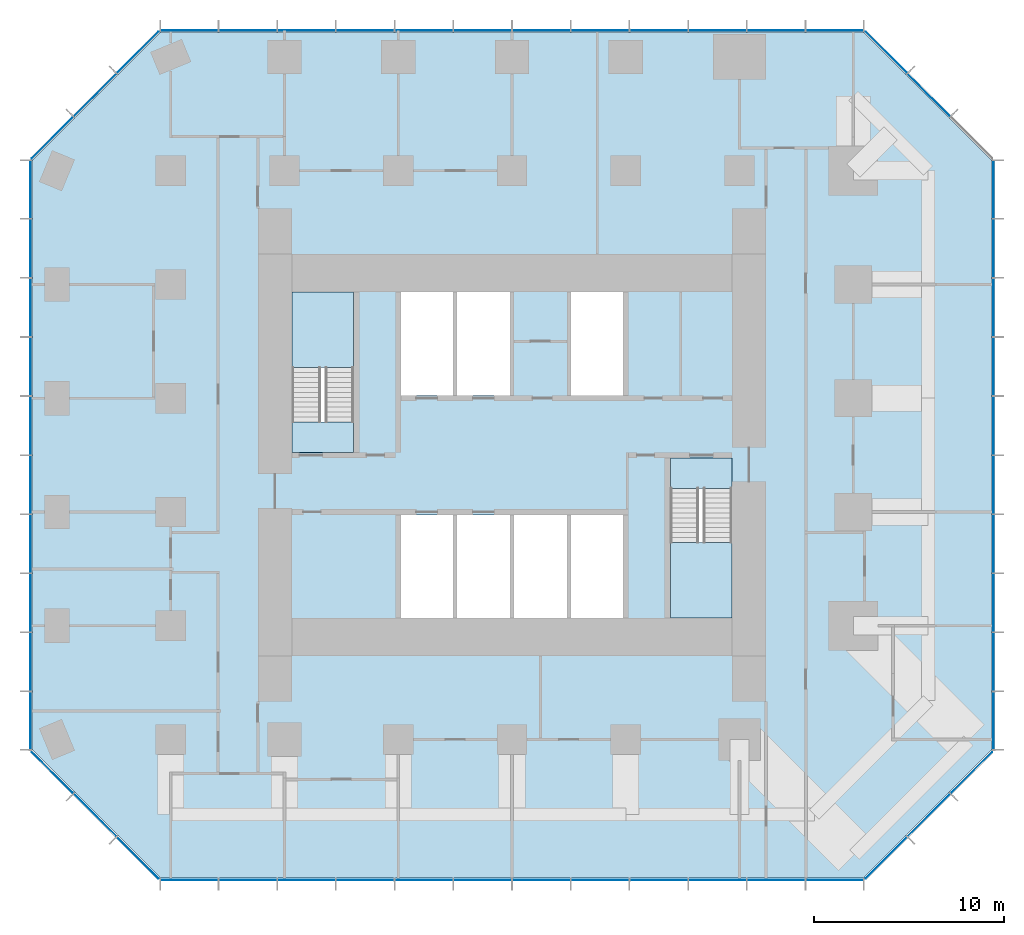
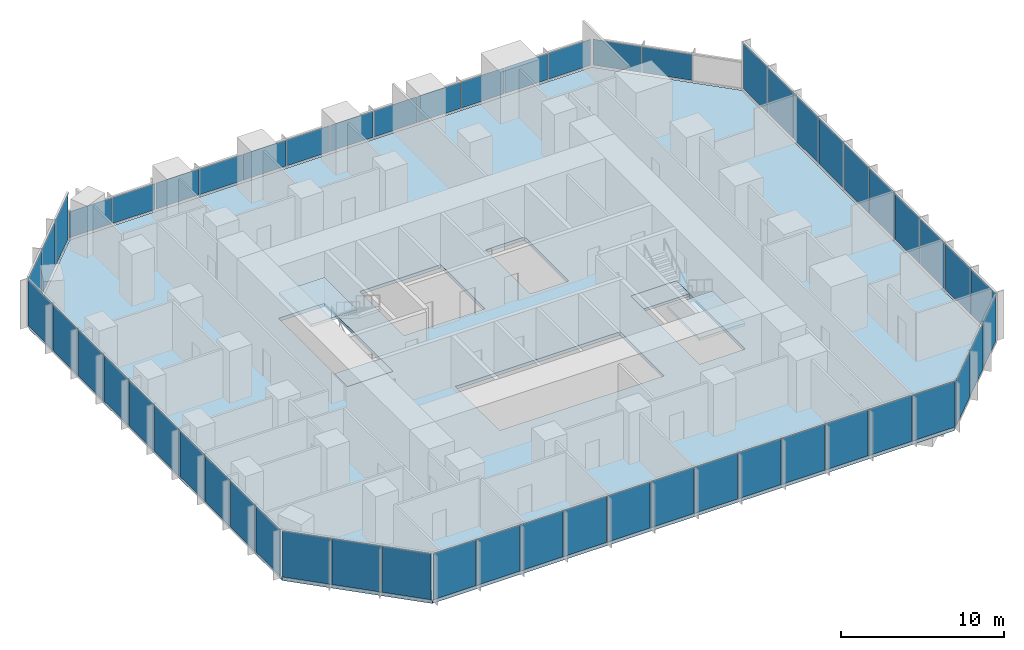
# One storey, part 8 of 12: 55 plates, 5 slabs, 10 elements without a shape of their own.
"""IFC4 building model written with IfcOpenShell, lengths in metres."""

from ifc_helpers import new_model, si_unit, direction, frame, origin, origin_2d, place, context, subcontext, project, spatial, polyline, rectangle, outline, extrude, material, layer, layer_set, type_object, element, aggregate, save


model = new_model("IFC4")

# Units and contexts
model_context = context("Model", 3, precision=1e-05, world=origin(), true_north=direction((0.0, 1.0)))
body_context = subcontext(model_context, "Body", "Model", "MODEL_VIEW")
ifc_project = project(units=[si_unit("LENGTHUNIT", "METRE"), si_unit("AREAUNIT", "SQUARE_METRE"), si_unit("VOLUMEUNIT", "CUBIC_METRE"), si_unit("PLANEANGLEUNIT", "RADIAN"), si_unit("MASSUNIT", "GRAM", prefix="KILO")], contexts=[model_context])

# Site, building, storey
site_placement = place(None, origin())
site = spatial("IfcSite", under=ifc_project, at=site_placement, CompositionType="ELEMENT")
building_placement = place(site_placement, origin())
building = spatial("IfcBuilding", under=site, at=building_placement, Name="Highveld Stack Headquarters", CompositionType="ELEMENT")
storey_placement = place(building_placement, frame((0.0, 0.0, 160.10009765625)))
storey = spatial("IfcBuildingStorey", under=building, at=storey_placement, Name="L39", CompositionType="ELEMENT", Elevation=160.10009765625)

# Curtain wall, plates
ifc_material_1 = material(Name="Aluminium bronze anodised", Category="aluminium")
ifc_layer_1 = layer(ifc_material_1, 0.199951171875)
ifc_layer_set_1 = layer_set([ifc_layer_1], Name="Aluminium bronze anodised")
curtain_wall_type_1 = type_object("IfcCurtainWallType", Name="CW1 TOWER UNITISED CURTAIN WALL", PredefinedType="NOTDEFINED", material=ifc_layer_set_1)
curtain_wall_1_placement = place(storey_placement, origin())
curtain_wall_1 = element("IfcCurtainWall", 1, at=curtain_wall_1_placement, inside=storey, type_object=curtain_wall_type_1, Name="Curtain wall CW1 L39 S", PredefinedType="NOTDEFINED")
ifc_material_2 = material(Name="Glass bronze tinted double glazed unit", Category="glass")
ifc_layer_2 = layer(ifc_material_2, 0.028076171875)
ifc_layer_set_2 = layer_set([ifc_layer_2], Name="Glass bronze tinted double glazed unit")
plate_type_1 = type_object("IfcPlateType", Name="CW1 PANEL BRONZE TINTED DOUBLE GLAZED UNIT", PredefinedType="CURTAIN_PANEL", material=ifc_layer_set_2)
plate_1_placement = place(storey_placement, frame((-11.015380859375, -19.39990234375, 0.10009765625), z_axis=(0.0, 0.0, 1.0), x_axis=(1.0, 0.0, 0.0)))
plate_1 = element("IfcPlate", 2, at=plate_1_placement, type_object=plate_type_1, Name="CW1 panel L39 1.1", PredefinedType="CURTAIN_PANEL", context=body_context, shape_type="SweptSolid", body=[
    extrude(rectangle(XDim=2.9990234375, YDim=0.028076171875, at=origin_2d()), origin(), (0.0, 0.0, 1.0), 3.449951171875),
])
plate_2_placement = place(storey_placement, frame((-7.934814453125, -19.39990234375, 0.10009765625), z_axis=(0.0, 0.0, 1.0), x_axis=(1.0, 0.0, 0.0)))
plate_2 = element("IfcPlate", 3, at=plate_2_placement, type_object=plate_type_1, Name="CW1 panel L39 2.1", PredefinedType="CURTAIN_PANEL", context=body_context, shape_type="SweptSolid", body=[
    extrude(rectangle(XDim=3.031494140625, YDim=0.028076171875, at=origin_2d()), origin(), (0.0, 0.0, 1.0), 3.449951171875),
])
plate_3_placement = place(storey_placement, frame((-4.83837890625, -19.39990234375, 0.10009765625), z_axis=(0.0, 0.0, 1.0), x_axis=(1.0, 0.0, 0.0)))
plate_3 = element("IfcPlate", 4, at=plate_3_placement, type_object=plate_type_1, Name="CW1 panel L39 3.1", PredefinedType="CURTAIN_PANEL", context=body_context, shape_type="SweptSolid", body=[
    extrude(rectangle(XDim=3.031494140625, YDim=0.028076171875, at=origin_2d()), origin(), (0.0, 0.0, 1.0), 3.449951171875),
])
plate_4_placement = place(storey_placement, frame((-1.74169921875, -19.39990234375, 0.10009765625), z_axis=(0.0, 0.0, 1.0), x_axis=(1.0, 0.0, 0.0)))
plate_4 = element("IfcPlate", 5, at=plate_4_placement, type_object=plate_type_1, Name="CW1 panel L39 4.1", PredefinedType="CURTAIN_PANEL", context=body_context, shape_type="SweptSolid", body=[
    extrude(rectangle(XDim=3.031494140625, YDim=0.028076171875, at=origin_2d()), origin(), (0.0, 0.0, 1.0), 3.449951171875),
])
plate_5_placement = place(storey_placement, frame((1.35498046875, -19.39990234375, 0.10009765625), z_axis=(0.0, 0.0, 1.0), x_axis=(1.0, 0.0, 0.0)))
plate_5 = element("IfcPlate", 6, at=plate_5_placement, type_object=plate_type_1, Name="CW1 panel L39 5.1", PredefinedType="CURTAIN_PANEL", context=body_context, shape_type="SweptSolid", body=[
    extrude(rectangle(XDim=3.031494140625, YDim=0.028076171875, at=origin_2d()), origin(), (0.0, 0.0, 1.0), 3.449951171875),
])
plate_6_placement = place(storey_placement, frame((4.45166015625, -19.39990234375, 0.10009765625), z_axis=(0.0, 0.0, 1.0), x_axis=(1.0, 0.0, 0.0)))
plate_6 = element("IfcPlate", 7, at=plate_6_placement, type_object=plate_type_1, Name="CW1 panel L39 6.1", PredefinedType="CURTAIN_PANEL", context=body_context, shape_type="SweptSolid", body=[
    extrude(rectangle(XDim=3.031494140625, YDim=0.028076171875, at=origin_2d()), origin(), (0.0, 0.0, 1.0), 3.449951171875),
])
plate_7_placement = place(storey_placement, frame((7.54833984375, -19.39990234375, 0.10009765625), z_axis=(0.0, 0.0, 1.0), x_axis=(1.0, 0.0, 0.0)))
plate_7 = element("IfcPlate", 8, at=plate_7_placement, type_object=plate_type_1, Name="CW1 panel L39 7.1", PredefinedType="CURTAIN_PANEL", context=body_context, shape_type="SweptSolid", body=[
    extrude(rectangle(XDim=3.03173828125, YDim=0.028076171875, at=origin_2d()), origin(), (0.0, 0.0, 1.0), 3.449951171875),
])
plate_8_placement = place(storey_placement, frame((10.64501953125, -19.39990234375, 0.10009765625), z_axis=(0.0, 0.0, 1.0), x_axis=(1.0, 0.0, 0.0)))
plate_8 = element("IfcPlate", 9, at=plate_8_placement, type_object=plate_type_1, Name="CW1 panel L39 8.1", PredefinedType="CURTAIN_PANEL", context=body_context, shape_type="SweptSolid", body=[
    extrude(rectangle(XDim=3.03173828125, YDim=0.028076171875, at=origin_2d()), origin(), (0.0, 0.0, 1.0), 3.449951171875),
])
plate_9_placement = place(storey_placement, frame((13.74169921875, -19.39990234375, 0.10009765625), z_axis=(0.0, 0.0, 1.0), x_axis=(1.0, 0.0, 0.0)))
plate_9 = element("IfcPlate", 10, at=plate_9_placement, type_object=plate_type_1, Name="CW1 panel L39 9.1", PredefinedType="CURTAIN_PANEL", context=body_context, shape_type="SweptSolid", body=[
    extrude(rectangle(XDim=3.03173828125, YDim=0.028076171875, at=origin_2d()), origin(), (0.0, 0.0, 1.0), 3.449951171875),
])
plate_10_placement = place(storey_placement, frame((16.83837890625, -19.39990234375, 0.10009765625), z_axis=(0.0, 0.0, 1.0), x_axis=(1.0, 0.0, 0.0)))
plate_10 = element("IfcPlate", 11, at=plate_10_placement, type_object=plate_type_1, Name="CW1 panel L39 10.1", PredefinedType="CURTAIN_PANEL", context=body_context, shape_type="SweptSolid", body=[
    extrude(rectangle(XDim=3.03173828125, YDim=0.028076171875, at=origin_2d()), origin(), (0.0, 0.0, 1.0), 3.449951171875),
])
plate_11_placement = place(storey_placement, frame((19.934814453125, -19.39990234375, 0.10009765625), z_axis=(0.0, 0.0, 1.0), x_axis=(1.0, 0.0, 0.0)))
plate_11 = element("IfcPlate", 12, at=plate_11_placement, type_object=plate_type_1, Name="CW1 panel L39 11.1", PredefinedType="CURTAIN_PANEL", context=body_context, shape_type="SweptSolid", body=[
    extrude(rectangle(XDim=3.03173828125, YDim=0.028076171875, at=origin_2d()), origin(), (0.0, 0.0, 1.0), 3.449951171875),
])
plate_12_placement = place(storey_placement, frame((23.015380859375, -19.39990234375, 0.10009765625), z_axis=(0.0, 0.0, 1.0), x_axis=(1.0, 0.0, 0.0)))
plate_12 = element("IfcPlate", 13, at=plate_12_placement, type_object=plate_type_1, Name="CW1 panel L39 12.1", PredefinedType="CURTAIN_PANEL", context=body_context, shape_type="SweptSolid", body=[
    extrude(rectangle(XDim=2.999267578125, YDim=0.028076171875, at=origin_2d()), origin(), (0.0, 0.0, 1.0), 3.449951171875),
])
aggregate(curtain_wall_1, [plate_1, plate_2, plate_3, plate_4, plate_5, plate_6, plate_7, plate_8, plate_9, plate_10, plate_11, plate_12])

curtain_wall_2_placement = place(storey_placement, origin())
curtain_wall_2 = element("IfcCurtainWall", 14, at=curtain_wall_2_placement, inside=storey, type_object=curtain_wall_type_1, Name="Curtain wall CW1 L39 E", PredefinedType="NOTDEFINED")
plate_13_placement = place(storey_placement, frame((31.39990234375, -11.005615234375, 0.10009765625), z_axis=(0.0, 0.0, 1.0), x_axis=(0.0, 1.0, 0.0)))
plate_13 = element("IfcPlate", 15, at=plate_13_placement, type_object=plate_type_1, Name="CW1 panel L39 1.1", PredefinedType="CURTAIN_PANEL", context=body_context, shape_type="SweptSolid", body=[
    extrude(rectangle(XDim=3.0185546875, YDim=0.028076171875, at=origin_2d()), origin(), (0.0, 0.0, 1.0), 3.449951171875),
])
plate_14_placement = place(storey_placement, frame((31.39990234375, -7.906005859375, 0.10009765625), z_axis=(0.0, 0.0, 1.0), x_axis=(0.0, 1.0, 0.0)))
plate_14 = element("IfcPlate", 16, at=plate_14_placement, type_object=plate_type_1, Name="CW1 panel L39 2.1", PredefinedType="CURTAIN_PANEL", context=body_context, shape_type="SweptSolid", body=[
    extrude(rectangle(XDim=3.051025390625, YDim=0.028076171875, at=origin_2d()), origin(), (0.0, 0.0, 1.0), 3.449951171875),
])
plate_15_placement = place(storey_placement, frame((31.39990234375, -4.7900390625, 0.10009765625), z_axis=(0.0, 0.0, 1.0), x_axis=(0.0, 1.0, 0.0)))
plate_15 = element("IfcPlate", 17, at=plate_15_placement, type_object=plate_type_1, Name="CW1 panel L39 3.1", PredefinedType="CURTAIN_PANEL", context=body_context, shape_type="SweptSolid", body=[
    extrude(rectangle(XDim=3.051025390625, YDim=0.028076171875, at=origin_2d()), origin(), (0.0, 0.0, 1.0), 3.449951171875),
])
plate_16_placement = place(storey_placement, frame((31.39990234375, -1.674072265625, 0.10009765625), z_axis=(0.0, 0.0, 1.0), x_axis=(0.0, 1.0, 0.0)))
plate_16 = element("IfcPlate", 18, at=plate_16_placement, type_object=plate_type_1, Name="CW1 panel L39 4.1", PredefinedType="CURTAIN_PANEL", context=body_context, shape_type="SweptSolid", body=[
    extrude(rectangle(XDim=3.051025390625, YDim=0.028076171875, at=origin_2d()), origin(), (0.0, 0.0, 1.0), 3.449951171875),
])
plate_17_placement = place(storey_placement, frame((31.39990234375, 1.44189453125, 0.10009765625), z_axis=(0.0, 0.0, 1.0), x_axis=(0.0, 1.0, 0.0)))
plate_17 = element("IfcPlate", 19, at=plate_17_placement, type_object=plate_type_1, Name="CW1 panel L39 5.1", PredefinedType="CURTAIN_PANEL", context=body_context, shape_type="SweptSolid", body=[
    extrude(rectangle(XDim=3.051025390625, YDim=0.028076171875, at=origin_2d()), origin(), (0.0, 0.0, 1.0), 3.449951171875),
])
plate_18_placement = place(storey_placement, frame((31.39990234375, 4.55810546875, 0.10009765625), z_axis=(0.0, 0.0, 1.0), x_axis=(0.0, 1.0, 0.0)))
plate_18 = element("IfcPlate", 20, at=plate_18_placement, type_object=plate_type_1, Name="CW1 panel L39 6.1", PredefinedType="CURTAIN_PANEL", context=body_context, shape_type="SweptSolid", body=[
    extrude(rectangle(XDim=3.051025390625, YDim=0.028076171875, at=origin_2d()), origin(), (0.0, 0.0, 1.0), 3.449951171875),
])
plate_19_placement = place(storey_placement, frame((31.39990234375, 7.674072265625, 0.10009765625), z_axis=(0.0, 0.0, 1.0), x_axis=(0.0, 1.0, 0.0)))
plate_19 = element("IfcPlate", 21, at=plate_19_placement, type_object=plate_type_1, Name="CW1 panel L39 7.1", PredefinedType="CURTAIN_PANEL", context=body_context, shape_type="SweptSolid", body=[
    extrude(rectangle(XDim=3.051025390625, YDim=0.028076171875, at=origin_2d()), origin(), (0.0, 0.0, 1.0), 3.449951171875),
])
plate_20_placement = place(storey_placement, frame((31.39990234375, 10.789794921875, 0.10009765625), z_axis=(0.0, 0.0, 1.0), x_axis=(0.0, 1.0, 0.0)))
plate_20 = element("IfcPlate", 22, at=plate_20_placement, type_object=plate_type_1, Name="CW1 panel L39 8.1", PredefinedType="CURTAIN_PANEL", context=body_context, shape_type="SweptSolid", body=[
    extrude(rectangle(XDim=3.051025390625, YDim=0.028076171875, at=origin_2d()), origin(), (0.0, 0.0, 1.0), 3.449951171875),
])
plate_21_placement = place(storey_placement, frame((31.39990234375, 13.906005859375, 0.10009765625), z_axis=(0.0, 0.0, 1.0), x_axis=(0.0, 1.0, 0.0)))
plate_21 = element("IfcPlate", 23, at=plate_21_placement, type_object=plate_type_1, Name="CW1 panel L39 9.1", PredefinedType="CURTAIN_PANEL", context=body_context, shape_type="SweptSolid", body=[
    extrude(rectangle(XDim=3.051025390625, YDim=0.028076171875, at=origin_2d()), origin(), (0.0, 0.0, 1.0), 3.449951171875),
])
plate_22_placement = place(storey_placement, frame((31.39990234375, 17.005615234375, 0.10009765625), z_axis=(0.0, 0.0, 1.0), x_axis=(0.0, 1.0, 0.0)))
plate_22 = element("IfcPlate", 24, at=plate_22_placement, type_object=plate_type_1, Name="CW1 panel L39 10.1", PredefinedType="CURTAIN_PANEL", context=body_context, shape_type="SweptSolid", body=[
    extrude(rectangle(XDim=3.0185546875, YDim=0.028076171875, at=origin_2d()), origin(), (0.0, 0.0, 1.0), 3.449951171875),
])
aggregate(curtain_wall_2, [plate_13, plate_14, plate_15, plate_16, plate_17, plate_18, plate_19, plate_20, plate_21, plate_22])

curtain_wall_3_placement = place(storey_placement, origin())
curtain_wall_3 = element("IfcCurtainWall", 25, at=curtain_wall_3_placement, inside=storey, type_object=curtain_wall_type_1, Name="Curtain wall CW1 L39 N", PredefinedType="NOTDEFINED")
plate_23_placement = place(storey_placement, frame((23.015380859375, 25.39990234375, 0.10009765625), z_axis=(0.0, 0.0, 1.0), x_axis=(-1.0, 0.0, 0.0)))
plate_23 = element("IfcPlate", 26, at=plate_23_placement, type_object=plate_type_1, Name="CW1 panel L39 1.1", PredefinedType="CURTAIN_PANEL", context=body_context, shape_type="SweptSolid", body=[
    extrude(rectangle(XDim=2.9990234375, YDim=0.028076171875, at=origin_2d()), origin(), (0.0, 0.0, 1.0), 1.949951171875),
])
plate_24_placement = place(storey_placement, frame((19.934814453125, 25.39990234375, 0.10009765625), z_axis=(0.0, 0.0, 1.0), x_axis=(-1.0, 0.0, 0.0)))
plate_24 = element("IfcPlate", 27, at=plate_24_placement, type_object=plate_type_1, Name="CW1 panel L39 2.1", PredefinedType="CURTAIN_PANEL", context=body_context, shape_type="SweptSolid", body=[
    extrude(rectangle(XDim=3.031494140625, YDim=0.028076171875, at=origin_2d()), origin(), (0.0, 0.0, 1.0), 1.949951171875),
])
plate_25_placement = place(storey_placement, frame((16.83837890625, 25.39990234375, 0.10009765625), z_axis=(0.0, 0.0, 1.0), x_axis=(-1.0, 0.0, 0.0)))
plate_25 = element("IfcPlate", 28, at=plate_25_placement, type_object=plate_type_1, Name="CW1 panel L39 3.1", PredefinedType="CURTAIN_PANEL", context=body_context, shape_type="SweptSolid", body=[
    extrude(rectangle(XDim=3.031494140625, YDim=0.028076171875, at=origin_2d()), origin(), (0.0, 0.0, 1.0), 1.949951171875),
])
plate_26_placement = place(storey_placement, frame((13.74169921875, 25.39990234375, 0.10009765625), z_axis=(0.0, 0.0, 1.0), x_axis=(-1.0, 0.0, 0.0)))
plate_26 = element("IfcPlate", 29, at=plate_26_placement, type_object=plate_type_1, Name="CW1 panel L39 4.1", PredefinedType="CURTAIN_PANEL", context=body_context, shape_type="SweptSolid", body=[
    extrude(rectangle(XDim=3.031494140625, YDim=0.028076171875, at=origin_2d()), origin(), (0.0, 0.0, 1.0), 1.949951171875),
])
plate_27_placement = place(storey_placement, frame((10.64501953125, 25.39990234375, 0.10009765625), z_axis=(0.0, 0.0, 1.0), x_axis=(-1.0, 0.0, 0.0)))
plate_27 = element("IfcPlate", 30, at=plate_27_placement, type_object=plate_type_1, Name="CW1 panel L39 5.1", PredefinedType="CURTAIN_PANEL", context=body_context, shape_type="SweptSolid", body=[
    extrude(rectangle(XDim=3.031494140625, YDim=0.028076171875, at=origin_2d()), origin(), (0.0, 0.0, 1.0), 1.949951171875),
])
plate_28_placement = place(storey_placement, frame((7.54833984375, 25.39990234375, 0.10009765625), z_axis=(0.0, 0.0, 1.0), x_axis=(-1.0, 0.0, 0.0)))
plate_28 = element("IfcPlate", 31, at=plate_28_placement, type_object=plate_type_1, Name="CW1 panel L39 6.1", PredefinedType="CURTAIN_PANEL", context=body_context, shape_type="SweptSolid", body=[
    extrude(rectangle(XDim=3.031494140625, YDim=0.028076171875, at=origin_2d()), origin(), (0.0, 0.0, 1.0), 1.949951171875),
])
plate_29_placement = place(storey_placement, frame((4.45166015625, 25.39990234375, 0.10009765625), z_axis=(0.0, 0.0, 1.0), x_axis=(-1.0, 0.0, 0.0)))
plate_29 = element("IfcPlate", 32, at=plate_29_placement, type_object=plate_type_1, Name="CW1 panel L39 7.1", PredefinedType="CURTAIN_PANEL", context=body_context, shape_type="SweptSolid", body=[
    extrude(rectangle(XDim=3.03173828125, YDim=0.028076171875, at=origin_2d()), origin(), (0.0, 0.0, 1.0), 1.949951171875),
])
plate_30_placement = place(storey_placement, frame((1.35498046875, 25.39990234375, 0.10009765625), z_axis=(0.0, 0.0, 1.0), x_axis=(-1.0, 0.0, 0.0)))
plate_30 = element("IfcPlate", 33, at=plate_30_placement, type_object=plate_type_1, Name="CW1 panel L39 8.1", PredefinedType="CURTAIN_PANEL", context=body_context, shape_type="SweptSolid", body=[
    extrude(rectangle(XDim=3.03173828125, YDim=0.028076171875, at=origin_2d()), origin(), (0.0, 0.0, 1.0), 1.949951171875),
])
plate_31_placement = place(storey_placement, frame((-1.74169921875, 25.39990234375, 0.10009765625), z_axis=(0.0, 0.0, 1.0), x_axis=(-1.0, 0.0, 0.0)))
plate_31 = element("IfcPlate", 34, at=plate_31_placement, type_object=plate_type_1, Name="CW1 panel L39 9.1", PredefinedType="CURTAIN_PANEL", context=body_context, shape_type="SweptSolid", body=[
    extrude(rectangle(XDim=3.03173828125, YDim=0.028076171875, at=origin_2d()), origin(), (0.0, 0.0, 1.0), 1.949951171875),
])
plate_32_placement = place(storey_placement, frame((-4.83837890625, 25.39990234375, 0.10009765625), z_axis=(0.0, 0.0, 1.0), x_axis=(-1.0, 0.0, 0.0)))
plate_32 = element("IfcPlate", 35, at=plate_32_placement, type_object=plate_type_1, Name="CW1 panel L39 10.1", PredefinedType="CURTAIN_PANEL", context=body_context, shape_type="SweptSolid", body=[
    extrude(rectangle(XDim=3.03173828125, YDim=0.028076171875, at=origin_2d()), origin(), (0.0, 0.0, 1.0), 1.949951171875),
])
plate_33_placement = place(storey_placement, frame((-7.934814453125, 25.39990234375, 0.10009765625), z_axis=(0.0, 0.0, 1.0), x_axis=(-1.0, 0.0, 0.0)))
plate_33 = element("IfcPlate", 36, at=plate_33_placement, type_object=plate_type_1, Name="CW1 panel L39 11.1", PredefinedType="CURTAIN_PANEL", context=body_context, shape_type="SweptSolid", body=[
    extrude(rectangle(XDim=3.03173828125, YDim=0.028076171875, at=origin_2d()), origin(), (0.0, 0.0, 1.0), 1.949951171875),
])
plate_34_placement = place(storey_placement, frame((-11.015380859375, 25.39990234375, 0.10009765625), z_axis=(0.0, 0.0, 1.0), x_axis=(-1.0, 0.0, 0.0)))
plate_34 = element("IfcPlate", 37, at=plate_34_placement, type_object=plate_type_1, Name="CW1 panel L39 12.1", PredefinedType="CURTAIN_PANEL", context=body_context, shape_type="SweptSolid", body=[
    extrude(rectangle(XDim=2.999267578125, YDim=0.028076171875, at=origin_2d()), origin(), (0.0, 0.0, 1.0), 1.949951171875),
])
aggregate(curtain_wall_3, [plate_23, plate_24, plate_25, plate_26, plate_27, plate_28, plate_29, plate_30, plate_31, plate_32, plate_33, plate_34])

curtain_wall_4_placement = place(storey_placement, origin())
curtain_wall_4 = element("IfcCurtainWall", 38, at=curtain_wall_4_placement, inside=storey, type_object=curtain_wall_type_1, Name="Curtain wall CW1 L39 W", PredefinedType="NOTDEFINED")
plate_35_placement = place(storey_placement, frame((-19.39990234375, 17.005615234375, 0.10009765625), z_axis=(0.0, 0.0, 1.0), x_axis=(0.0, -1.0, 0.0)))
plate_35 = element("IfcPlate", 39, at=plate_35_placement, type_object=plate_type_1, Name="CW1 panel L39 1.1", PredefinedType="CURTAIN_PANEL", context=body_context, shape_type="SweptSolid", body=[
    extrude(rectangle(XDim=3.0185546875, YDim=0.028076171875, at=origin_2d()), origin(), (0.0, 0.0, 1.0), 3.449951171875),
])
plate_36_placement = place(storey_placement, frame((-19.39990234375, 13.906005859375, 0.10009765625), z_axis=(0.0, 0.0, 1.0), x_axis=(0.0, -1.0, 0.0)))
plate_36 = element("IfcPlate", 40, at=plate_36_placement, type_object=plate_type_1, Name="CW1 panel L39 2.1", PredefinedType="CURTAIN_PANEL", context=body_context, shape_type="SweptSolid", body=[
    extrude(rectangle(XDim=3.051025390625, YDim=0.028076171875, at=origin_2d()), origin(), (0.0, 0.0, 1.0), 3.449951171875),
])
plate_37_placement = place(storey_placement, frame((-19.39990234375, 10.7900390625, 0.10009765625), z_axis=(0.0, 0.0, 1.0), x_axis=(0.0, -1.0, 0.0)))
plate_37 = element("IfcPlate", 41, at=plate_37_placement, type_object=plate_type_1, Name="CW1 panel L39 3.1", PredefinedType="CURTAIN_PANEL", context=body_context, shape_type="SweptSolid", body=[
    extrude(rectangle(XDim=3.051025390625, YDim=0.028076171875, at=origin_2d()), origin(), (0.0, 0.0, 1.0), 3.449951171875),
])
plate_38_placement = place(storey_placement, frame((-19.39990234375, 7.674072265625, 0.10009765625), z_axis=(0.0, 0.0, 1.0), x_axis=(0.0, -1.0, 0.0)))
plate_38 = element("IfcPlate", 42, at=plate_38_placement, type_object=plate_type_1, Name="CW1 panel L39 4.1", PredefinedType="CURTAIN_PANEL", context=body_context, shape_type="SweptSolid", body=[
    extrude(rectangle(XDim=3.051025390625, YDim=0.028076171875, at=origin_2d()), origin(), (0.0, 0.0, 1.0), 3.449951171875),
])
plate_39_placement = place(storey_placement, frame((-19.39990234375, 4.55810546875, 0.10009765625), z_axis=(0.0, 0.0, 1.0), x_axis=(0.0, -1.0, 0.0)))
plate_39 = element("IfcPlate", 43, at=plate_39_placement, type_object=plate_type_1, Name="CW1 panel L39 5.1", PredefinedType="CURTAIN_PANEL", context=body_context, shape_type="SweptSolid", body=[
    extrude(rectangle(XDim=3.051025390625, YDim=0.028076171875, at=origin_2d()), origin(), (0.0, 0.0, 1.0), 3.449951171875),
])
plate_40_placement = place(storey_placement, frame((-19.39990234375, 1.44189453125, 0.10009765625), z_axis=(0.0, 0.0, 1.0), x_axis=(0.0, -1.0, 0.0)))
plate_40 = element("IfcPlate", 44, at=plate_40_placement, type_object=plate_type_1, Name="CW1 panel L39 6.1", PredefinedType="CURTAIN_PANEL", context=body_context, shape_type="SweptSolid", body=[
    extrude(rectangle(XDim=3.051025390625, YDim=0.028076171875, at=origin_2d()), origin(), (0.0, 0.0, 1.0), 3.449951171875),
])
plate_41_placement = place(storey_placement, frame((-19.39990234375, -1.674072265625, 0.10009765625), z_axis=(0.0, 0.0, 1.0), x_axis=(0.0, -1.0, 0.0)))
plate_41 = element("IfcPlate", 45, at=plate_41_placement, type_object=plate_type_1, Name="CW1 panel L39 7.1", PredefinedType="CURTAIN_PANEL", context=body_context, shape_type="SweptSolid", body=[
    extrude(rectangle(XDim=3.051025390625, YDim=0.028076171875, at=origin_2d()), origin(), (0.0, 0.0, 1.0), 3.449951171875),
])
plate_42_placement = place(storey_placement, frame((-19.39990234375, -4.789794921875, 0.10009765625), z_axis=(0.0, 0.0, 1.0), x_axis=(0.0, -1.0, 0.0)))
plate_42 = element("IfcPlate", 46, at=plate_42_placement, type_object=plate_type_1, Name="CW1 panel L39 8.1", PredefinedType="CURTAIN_PANEL", context=body_context, shape_type="SweptSolid", body=[
    extrude(rectangle(XDim=3.051025390625, YDim=0.028076171875, at=origin_2d()), origin(), (0.0, 0.0, 1.0), 3.449951171875),
])
plate_43_placement = place(storey_placement, frame((-19.39990234375, -7.906005859375, 0.10009765625), z_axis=(0.0, 0.0, 1.0), x_axis=(0.0, -1.0, 0.0)))
plate_43 = element("IfcPlate", 47, at=plate_43_placement, type_object=plate_type_1, Name="CW1 panel L39 9.1", PredefinedType="CURTAIN_PANEL", context=body_context, shape_type="SweptSolid", body=[
    extrude(rectangle(XDim=3.051025390625, YDim=0.028076171875, at=origin_2d()), origin(), (0.0, 0.0, 1.0), 3.449951171875),
])
plate_44_placement = place(storey_placement, frame((-19.39990234375, -11.005615234375, 0.10009765625), z_axis=(0.0, 0.0, 1.0), x_axis=(0.0, -1.0, 0.0)))
plate_44 = element("IfcPlate", 48, at=plate_44_placement, type_object=plate_type_1, Name="CW1 panel L39 10.1", PredefinedType="CURTAIN_PANEL", context=body_context, shape_type="SweptSolid", body=[
    extrude(rectangle(XDim=3.0185546875, YDim=0.028076171875, at=origin_2d()), origin(), (0.0, 0.0, 1.0), 3.449951171875),
])
aggregate(curtain_wall_4, [plate_35, plate_36, plate_37, plate_38, plate_39, plate_40, plate_41, plate_42, plate_43, plate_44])

ifc_material_3 = material(Name="Aluminium bronze anodised", Category="aluminium")
ifc_layer_3 = layer(ifc_material_3, 0.199951171875)
ifc_layer_set_3 = layer_set([ifc_layer_3], Name="Aluminium bronze anodised")
curtain_wall_type_2 = type_object("IfcCurtainWallType", Name="CW2 TOWER CHAMFER UNITISED CURTAIN WALL", PredefinedType="NOTDEFINED", material=ifc_layer_set_3)
curtain_wall_5_placement = place(storey_placement, origin())
curtain_wall_5 = element("IfcCurtainWall", 49, at=curtain_wall_5_placement, inside=storey, type_object=curtain_wall_type_2, Name="Curtain wall CW2 L39 SE", PredefinedType="NOTDEFINED")
ifc_material_4 = material(Name="Glass bronze tinted double glazed unit", Category="glass")
ifc_layer_4 = layer(ifc_material_4, 0.028076171875)
ifc_layer_set_4 = layer_set([ifc_layer_4], Name="Glass bronze tinted double glazed unit")
plate_type_2 = type_object("IfcPlateType", Name="CW2 PANEL BRONZE TINTED DOUBLE GLAZED UNIT", PredefinedType="CURTAIN_PANEL", material=ifc_layer_set_4)
plate_45_placement = place(storey_placement, frame((25.740478515625, -18.239501953125, 0.10009765625), z_axis=(0.0, 0.0, 1.0), x_axis=(0.707106781187, 0.707106781187, 0.0)))
plate_45 = element("IfcPlate", 50, at=plate_45_placement, type_object=plate_type_2, Name="CW2 panel L39 1.1", PredefinedType="CURTAIN_PANEL", context=body_context, shape_type="SweptSolid", body=[
    extrude(rectangle(XDim=3.08251953125, YDim=0.028076171875, at=origin_2d()), origin(), (0.0, 0.0, 1.0), 3.449951171875),
])
plate_46_placement = place(storey_placement, frame((27.989990234375, -15.989990234375, 0.10009765625), z_axis=(0.0, 0.0, 1.0), x_axis=(0.707106781187, 0.707106781187, 0.0)))
plate_46 = element("IfcPlate", 51, at=plate_46_placement, type_object=plate_type_2, Name="CW2 panel L39 2.1", PredefinedType="CURTAIN_PANEL", context=body_context, shape_type="SweptSolid", body=[
    extrude(rectangle(XDim=3.14990234375, YDim=0.028076171875, at=origin_2d()), origin(), (0.0, 0.0, 1.0), 3.449951171875),
])
plate_47_placement = place(storey_placement, frame((30.239501953125, -13.740478515625, 0.10009765625), z_axis=(0.0, 0.0, 1.0), x_axis=(0.707106781187, 0.707106781187, 0.0)))
plate_47 = element("IfcPlate", 52, at=plate_47_placement, type_object=plate_type_2, Name="CW2 panel L39 3.1", PredefinedType="CURTAIN_PANEL", context=body_context, shape_type="SweptSolid", body=[
    extrude(rectangle(XDim=3.08251953125, YDim=0.028076171875, at=origin_2d()), origin(), (0.0, 0.0, 1.0), 3.449951171875),
])
aggregate(curtain_wall_5, [plate_45, plate_46, plate_47])

curtain_wall_6_placement = place(storey_placement, origin())
curtain_wall_6 = element("IfcCurtainWall", 53, at=curtain_wall_6_placement, inside=storey, type_object=curtain_wall_type_2, Name="Curtain wall CW2 L39 NE", PredefinedType="NOTDEFINED")
plate_48_placement = place(storey_placement, frame((27.989990234375, 21.989990234375, 0.10009765625), z_axis=(0.0, 0.0, 1.0), x_axis=(-0.707106781187, 0.707106781187, 0.0)))
plate_48 = element("IfcPlate", 54, at=plate_48_placement, type_object=plate_type_2, Name="CW2 panel L39 2.1", PredefinedType="CURTAIN_PANEL", context=body_context, shape_type="SweptSolid", body=[
    extrude(rectangle(XDim=3.14990234375, YDim=0.028076171875, at=origin_2d()), origin(), (0.0, 0.0, 1.0), 1.949951171875),
])
plate_49_placement = place(storey_placement, frame((25.740478515625, 24.239501953125, 0.10009765625), z_axis=(0.0, 0.0, 1.0), x_axis=(-0.707106781187, 0.707106781187, 0.0)))
plate_49 = element("IfcPlate", 55, at=plate_49_placement, type_object=plate_type_2, Name="CW2 panel L39 3.1", PredefinedType="CURTAIN_PANEL", context=body_context, shape_type="SweptSolid", body=[
    extrude(rectangle(XDim=3.08251953125, YDim=0.028076171875, at=origin_2d()), origin(), (0.0, 0.0, 1.0), 1.949951171875),
])
aggregate(curtain_wall_6, [plate_48, plate_49])

curtain_wall_7_placement = place(storey_placement, origin())
curtain_wall_7 = element("IfcCurtainWall", 56, at=curtain_wall_7_placement, inside=storey, type_object=curtain_wall_type_2, Name="Curtain wall CW2 L39 NW", PredefinedType="NOTDEFINED")
plate_50_placement = place(storey_placement, frame((-13.740478515625, 24.239501953125, 0.10009765625), z_axis=(0.0, 0.0, 1.0), x_axis=(-0.707106781187, -0.707106781187, 0.0)))
plate_50 = element("IfcPlate", 57, at=plate_50_placement, type_object=plate_type_2, Name="CW2 panel L39 1.1", PredefinedType="CURTAIN_PANEL", context=body_context, shape_type="SweptSolid", body=[
    extrude(rectangle(XDim=3.08251953125, YDim=0.028076171875, at=origin_2d()), origin(), (0.0, 0.0, 1.0), 3.449951171875),
])
plate_51_placement = place(storey_placement, frame((-15.989990234375, 21.989990234375, 0.10009765625), z_axis=(0.0, 0.0, 1.0), x_axis=(-0.707106781187, -0.707106781187, 0.0)))
plate_51 = element("IfcPlate", 58, at=plate_51_placement, type_object=plate_type_2, Name="CW2 panel L39 2.1", PredefinedType="CURTAIN_PANEL", context=body_context, shape_type="SweptSolid", body=[
    extrude(rectangle(XDim=3.14990234375, YDim=0.028076171875, at=origin_2d()), origin(), (0.0, 0.0, 1.0), 3.449951171875),
])
plate_52_placement = place(storey_placement, frame((-18.239501953125, 19.740478515625, 0.10009765625), z_axis=(0.0, 0.0, 1.0), x_axis=(-0.707106781187, -0.707106781187, 0.0)))
plate_52 = element("IfcPlate", 59, at=plate_52_placement, type_object=plate_type_2, Name="CW2 panel L39 3.1", PredefinedType="CURTAIN_PANEL", context=body_context, shape_type="SweptSolid", body=[
    extrude(rectangle(XDim=3.08251953125, YDim=0.028076171875, at=origin_2d()), origin(), (0.0, 0.0, 1.0), 3.449951171875),
])
aggregate(curtain_wall_7, [plate_50, plate_51, plate_52])

curtain_wall_8_placement = place(storey_placement, origin())
curtain_wall_8 = element("IfcCurtainWall", 60, at=curtain_wall_8_placement, inside=storey, type_object=curtain_wall_type_2, Name="Curtain wall CW2 L39 SW", PredefinedType="NOTDEFINED")
plate_53_placement = place(storey_placement, frame((-18.239501953125, -13.740478515625, 0.10009765625), z_axis=(0.0, 0.0, 1.0), x_axis=(0.707106781187, -0.707106781187, 0.0)))
plate_53 = element("IfcPlate", 61, at=plate_53_placement, type_object=plate_type_2, Name="CW2 panel L39 1.1", PredefinedType="CURTAIN_PANEL", context=body_context, shape_type="SweptSolid", body=[
    extrude(rectangle(XDim=3.08251953125, YDim=0.028076171875, at=origin_2d()), origin(), (0.0, 0.0, 1.0), 3.449951171875),
])
plate_54_placement = place(storey_placement, frame((-15.989990234375, -15.989990234375, 0.10009765625), z_axis=(0.0, 0.0, 1.0), x_axis=(0.707106781187, -0.707106781187, 0.0)))
plate_54 = element("IfcPlate", 62, at=plate_54_placement, type_object=plate_type_2, Name="CW2 panel L39 2.1", PredefinedType="CURTAIN_PANEL", context=body_context, shape_type="SweptSolid", body=[
    extrude(rectangle(XDim=3.14990234375, YDim=0.028076171875, at=origin_2d()), origin(), (0.0, 0.0, 1.0), 3.449951171875),
])
plate_55_placement = place(storey_placement, frame((-13.740478515625, -18.239501953125, 0.10009765625), z_axis=(0.0, 0.0, 1.0), x_axis=(0.707106781187, -0.707106781187, 0.0)))
plate_55 = element("IfcPlate", 63, at=plate_55_placement, type_object=plate_type_2, Name="CW2 panel L39 3.1", PredefinedType="CURTAIN_PANEL", context=body_context, shape_type="SweptSolid", body=[
    extrude(rectangle(XDim=3.08251953125, YDim=0.028076171875, at=origin_2d()), origin(), (0.0, 0.0, 1.0), 3.449951171875),
])
aggregate(curtain_wall_8, [plate_53, plate_54, plate_55])

# Slab
ifc_material_5 = material(Name="Concrete C60/75", Category="concrete")
ifc_layer_5 = layer(ifc_material_5, 0.25)
ifc_layer_set_5 = layer_set([ifc_layer_5], Name="Concrete C60/75")
slab_type_1 = type_object("IfcSlabType", Name="PT FLAT SLAB 250", PredefinedType="FLOOR", material=ifc_layer_set_5)
slab_1_placement = place(storey_placement, frame((0.0, 0.0, -0.25)))
element("IfcSlab", 64, at=slab_1_placement, inside=storey, type_object=slab_type_1, Name="Floor slab L39", PredefinedType="FLOOR", context=body_context, shape_type="SweptSolid", body=[
    extrude(outline(polyline([(-12.53857421875, -19.300048828125), (24.53857421875, -19.300048828125), (31.300048828125, -12.53857421875), (31.300048828125, 18.53857421875), (24.53857421875, 25.300048828125), (-12.53857421875, 25.300048828125), (-19.300048828125, 18.53857421875), (-19.300048828125, -12.53857421875), (-12.53857421875, -19.300048828125)]), holes=[polyline([(0.14990234375, 6.14990234375), (5.89990234375, 6.14990234375), (5.89990234375, 11.60009765625), (0.14990234375, 11.60009765625), (0.14990234375, 6.14990234375)]), polyline([(9.10009765625, 6.14990234375), (11.85009765625, 6.14990234375), (11.85009765625, 11.60009765625), (9.10009765625, 11.60009765625), (9.10009765625, 6.14990234375)]), polyline([(0.14990234375, -5.60009765625), (11.85009765625, -5.60009765625), (11.85009765625, -0.14990234375), (0.14990234375, -0.14990234375), (0.14990234375, -5.60009765625)]), polyline([(-5.60009765625, 3.14990234375), (-2.35009765625, 3.14990234375), (-2.35009765625, 11.60009765625), (-5.60009765625, 11.60009765625), (-5.60009765625, 3.14990234375)]), polyline([(14.35009765625, -5.60009765625), (17.60009765625, -5.60009765625), (17.60009765625, 2.85009765625), (14.35009765625, 2.85009765625), (14.35009765625, -5.60009765625)])]), origin(), (0.0, 0.0, 1.0), 0.25),
])

# Stair, slabs
ifc_material_6 = material(Name="Concrete C40/50, precast", Category="concrete")
stair_type_1 = type_object("IfcStairType", Name="STAIR S1 HALF TURN 1500", PredefinedType="HALF_TURN_STAIR", material=ifc_material_6)
stair_1_placement = place(storey_placement, origin())
stair_1 = element("IfcStair", 65, at=stair_1_placement, inside=storey, type_object=stair_type_1, Name="Stair S1 L39", PredefinedType="HALF_TURN_STAIR")
ifc_material_7 = material(Name="Concrete C40/50, precast", Category="concrete")
ifc_layer_6 = layer(ifc_material_7, 0.199951171875)
ifc_layer_set_6 = layer_set([ifc_layer_6], Name="Concrete C40/50, precast")
slab_type_2 = type_object("IfcSlabType", Name="STAIR LANDING 200", PredefinedType="LANDING", material=ifc_layer_set_6)
slab_2_placement = place(storey_placement, frame((0.0, 0.0, 1.75)))
slab_2 = element("IfcSlab", 66, at=slab_2_placement, type_object=slab_type_2, Name="S1 landing 1", PredefinedType="LANDING", context=body_context, shape_type="SweptSolid", body=[
    extrude(outline(polyline([(-5.60009765625, 7.610107421875), (-2.35009765625, 7.610107421875), (-2.35009765625, 11.60009765625), (-5.60009765625, 11.60009765625), (-5.60009765625, 7.610107421875)])), origin(), (0.0, 0.0, 1.0), 0.199951171875),
])
slab_3_placement = place(storey_placement, frame((0.0, 0.0, -0.2001953125)))
slab_3 = element("IfcSlab", 67, at=slab_3_placement, type_object=slab_type_2, Name="S1 landing 2", PredefinedType="LANDING", context=body_context, shape_type="SweptSolid", body=[
    extrude(outline(polyline([(-5.60009765625, 3.14990234375), (-2.35009765625, 3.14990234375), (-2.35009765625, 4.75), (-5.60009765625, 4.75), (-5.60009765625, 3.14990234375)])), origin(), (0.0, 0.0, 1.0), 0.2001953125),
])
aggregate(stair_1, [slab_2, slab_3])

ifc_material_8 = material(Name="Concrete C40/50, precast", Category="concrete")
stair_type_2 = type_object("IfcStairType", Name="STAIR S2 HALF TURN 1500", PredefinedType="HALF_TURN_STAIR", material=ifc_material_8)
stair_2_placement = place(storey_placement, origin())
stair_2 = element("IfcStair", 68, at=stair_2_placement, inside=storey, type_object=stair_type_2, Name="Stair S2 L39", PredefinedType="HALF_TURN_STAIR")
slab_4_placement = place(storey_placement, frame((0.0, 0.0, 1.75)))
slab_4 = element("IfcSlab", 69, at=slab_4_placement, type_object=slab_type_2, Name="S2 landing 1", PredefinedType="LANDING", context=body_context, shape_type="SweptSolid", body=[
    extrude(outline(polyline([(14.35009765625, -5.60009765625), (17.60009765625, -5.60009765625), (17.60009765625, -1.610107421875), (14.35009765625, -1.610107421875), (14.35009765625, -5.60009765625)])), origin(), (0.0, 0.0, 1.0), 0.199951171875),
])
slab_5_placement = place(storey_placement, frame((0.0, 0.0, -0.2001953125)))
slab_5 = element("IfcSlab", 70, at=slab_5_placement, type_object=slab_type_2, Name="S2 landing 2", PredefinedType="LANDING", context=body_context, shape_type="SweptSolid", body=[
    extrude(outline(polyline([(14.35009765625, 1.25), (17.60009765625, 1.25), (17.60009765625, 2.85009765625), (14.35009765625, 2.85009765625), (14.35009765625, 1.25)])), origin(), (0.0, 0.0, 1.0), 0.2001953125),
])
aggregate(stair_2, [slab_4, slab_5])

save(model, "model.ifc")
